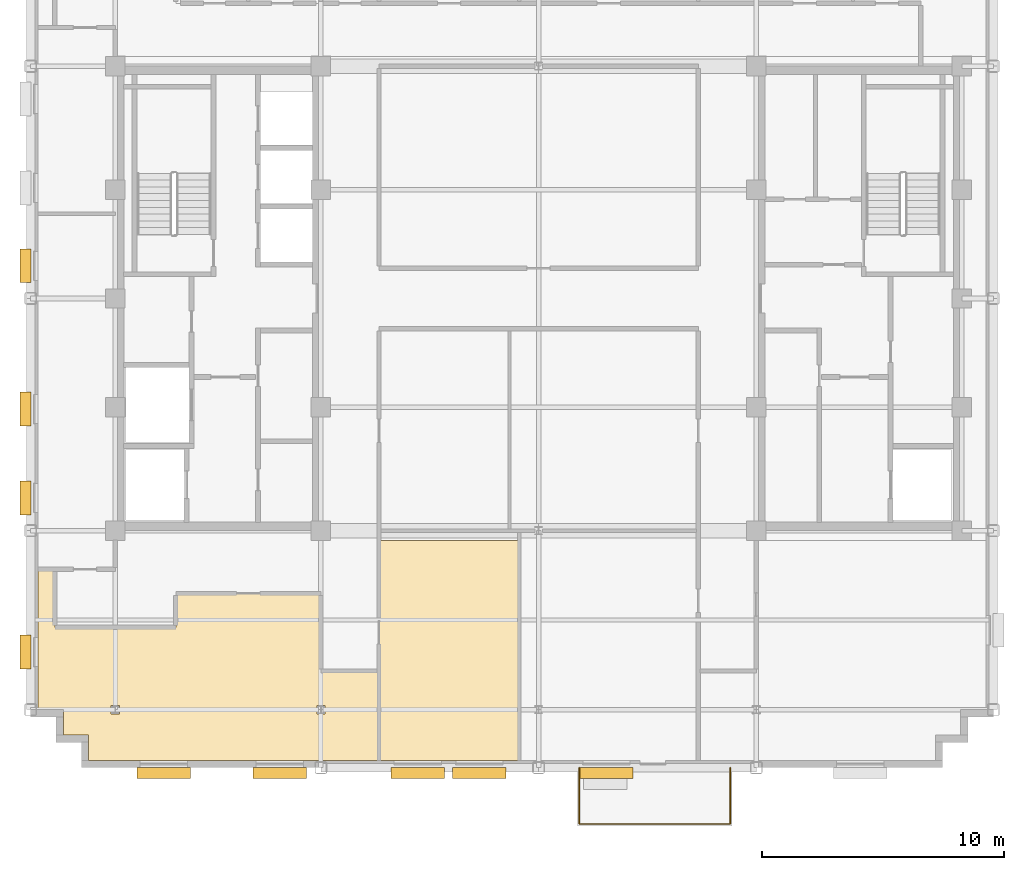
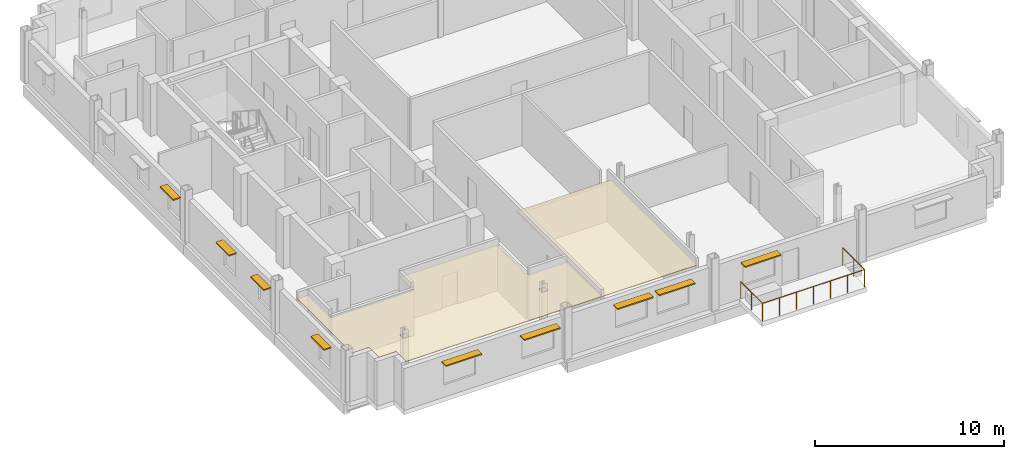
# One storey, part 10 of 13: 9 shading devices, 2 coverings, 1 railing.
"""IFC4 building model written with IfcOpenShell, lengths in metres."""

from ifc_helpers import new_model, si_unit, direction, frame, origin, origin_2d, place, context, subcontext, project, spatial, polyline, rectangle, circle, outline, extrude, source, transform, mapped, material, layer, layer_set, type_object, type_shapes, element, save


model = new_model("IFC4")

# Units and contexts
model_context = context("Model", 3, precision=1e-05, world=origin(), true_north=direction((0.0, 1.0)))
body_context = subcontext(model_context, "Body", "Model", "MODEL_VIEW")
ifc_project = project(units=[si_unit("LENGTHUNIT", "METRE"), si_unit("AREAUNIT", "SQUARE_METRE"), si_unit("VOLUMEUNIT", "CUBIC_METRE"), si_unit("PLANEANGLEUNIT", "RADIAN"), si_unit("MASSUNIT", "GRAM", prefix="KILO")], contexts=[model_context])

# Site, building, storey
site_placement = place(None, origin())
site = spatial("IfcSite", under=ifc_project, at=site_placement, CompositionType="ELEMENT")
building_placement = place(site_placement, origin())
building = spatial("IfcBuilding", under=site, at=building_placement, Name="Nuvemarco Arch Tower", CompositionType="ELEMENT")
storey_placement = place(building_placement, frame((0.0, 0.0, 257.949951171875)))
storey = spatial("IfcBuildingStorey", under=building, at=storey_placement, Name="L68", CompositionType="ELEMENT", Elevation=257.949951171875)

# Coverings
ifc_material_1 = material(Name="Mineral acoustic ceiling tile")
ifc_layer = layer(ifc_material_1, 0.0400390625, Name="COV-ACOUSTIC-CLG")
ifc_layer_set = layer_set([ifc_layer], Name="Mineral acoustic ceiling tile")
covering_type = type_object("IfcCoveringType", Name="COV-ACOUSTIC-CLG", PredefinedType="CEILING", material=ifc_layer_set)
covering_1_placement = place(storey_placement, frame((0.0, 0.0, 2.85009765625)))
element("IfcCovering", 1, at=covering_1_placement, inside=storey, type_object=covering_type, Name="L68 suspended acoustic ceiling 2", PredefinedType="CEILING", context=body_context, shape_type="SweptSolid", body=[
    extrude(outline(polyline([(-20.699951171875, -17.0), (-20.699951171875, -11.199951171875), (-20.0, -11.199951171875), (-20.0, -13.60009765625), (-15.0, -13.60009765625), (-15.0, -12.199951171875), (-9.0, -12.199951171875), (-9.0, -15.39990234375), (-6.60009765625, -15.39990234375), (-6.60009765625, -19.10009765625), (-18.60009765625, -19.10009765625), (-18.60009765625, -18.050048828125), (-19.64990234375, -18.050048828125), (-19.64990234375, -17.0), (-20.699951171875, -17.0)]), holes=[polyline([(-17.330078125, -16.830078125), (-17.669921875, -16.830078125), (-17.669921875, -17.169921875), (-17.330078125, -17.169921875), (-17.330078125, -16.830078125)]), polyline([(-8.830078125, -16.830078125), (-9.169921875, -16.830078125), (-9.169921875, -17.169921875), (-8.830078125, -17.169921875), (-8.830078125, -16.830078125)])]), origin(), (0.0, 0.0, 1.0), 0.0400390625),
])
covering_2_placement = place(storey_placement, frame((0.0, 0.0, 2.85009765625)))
element("IfcCovering", 2, at=covering_2_placement, inside=storey, type_object=covering_type, Name="L68 suspended acoustic ceiling 4", PredefinedType="CEILING", context=body_context, shape_type="SweptSolid", body=[
    extrude(outline(polyline([(-6.60009765625, -10.0), (-0.800048828125, -10.0), (-0.800048828125, -19.10009765625), (-6.60009765625, -19.10009765625), (-6.60009765625, -15.39990234375), (-6.60009765625, -12.199951171875), (-6.60009765625, -10.0)])), origin(), (0.0, 0.0, 1.0), 0.0400390625),
])

# Railing
ifc_material_2 = material(Name="Dark anodised balustrade steel S355", Category="steel")
railing_type = type_object("IfcRailingType", Name="RL-TERR-GUARD", PredefinedType="BALUSTRADE", material=ifc_material_2)
railing_placement = place(storey_placement, frame((1.679931640625, -19.39990234375, 0.0)))
element("IfcRailing", 3, at=railing_placement, inside=storey, type_object=railing_type, Name="L68 spiral terrace perimeter balustrade guard", PredefinedType="BALUSTRADE", context=body_context, shape_type="SweptSolid", body=[
    extrude(circle(Radius=0.02392578125, at=origin_2d()), frame((0.0, 0.0, 1.1259765625), z_axis=(0.0, -1.0, 0.0), x_axis=(1.0, 0.0, 0.0)), (0.0, 0.0, 1.0), 2.320068359375),
    extrude(circle(Radius=0.02392578125, at=origin_2d()), frame((0.0, -2.320068359375, 1.1259765625), z_axis=(1.0, 0.0, 0.0), x_axis=(0.0, 1.0, 0.0)), (0.0, 0.0, 1.0), 6.239990234375),
    extrude(circle(Radius=0.02392578125, at=origin_2d()), frame((6.239990234375, -2.320068359375, 1.1259765625), z_axis=(0.0, 1.0, 0.0), x_axis=(-1.0, 0.0, 0.0)), (0.0, 0.0, 1.0), 2.320068359375),
    extrude(circle(Radius=0.02099609375, at=origin_2d()), origin(), (0.0, 0.0, 1.0), 1.101806640625),
    extrude(circle(Radius=0.02099609375, at=origin_2d()), frame((0.0, -1.16015625, 0.0)), (0.0, 0.0, 1.0), 1.101806640625),
    extrude(circle(Radius=0.02099609375, at=origin_2d()), frame((0.0, -2.320068359375, 0.0)), (0.0, 0.0, 1.0), 1.101806640625),
    extrude(circle(Radius=0.02099609375, at=origin_2d()), frame((1.0400390625, -2.320068359375, 0.0)), (0.0, 0.0, 1.0), 1.101806640625),
    extrude(circle(Radius=0.02099609375, at=origin_2d()), frame((2.080078125, -2.320068359375, 0.0)), (0.0, 0.0, 1.0), 1.101806640625),
    extrude(circle(Radius=0.02099609375, at=origin_2d()), frame((3.1201171875, -2.320068359375, 0.0)), (0.0, 0.0, 1.0), 1.101806640625),
    extrude(circle(Radius=0.02099609375, at=origin_2d()), frame((4.159912109375, -2.320068359375, 0.0)), (0.0, 0.0, 1.0), 1.101806640625),
    extrude(circle(Radius=0.02099609375, at=origin_2d()), frame((5.199951171875, -2.320068359375, 0.0)), (0.0, 0.0, 1.0), 1.101806640625),
    extrude(circle(Radius=0.02099609375, at=origin_2d()), frame((6.239990234375, -2.320068359375, 0.0)), (0.0, 0.0, 1.0), 1.101806640625),
    extrude(circle(Radius=0.02099609375, at=origin_2d()), frame((6.239990234375, -1.16015625, 0.0)), (0.0, 0.0, 1.0), 1.101806640625),
    extrude(circle(Radius=0.02099609375, at=origin_2d()), frame((6.239990234375, 0.0, 0.0)), (0.0, 0.0, 1.0), 1.101806640625),
])

# Shading devices
ifc_material_3 = material(Name="Anodised aluminium 6063-T6", Category="aluminium")
shading_device_type_1 = type_object("IfcShadingDeviceType", Name="SHD-BRISE-SOLEIL", PredefinedType="USERDEFINED", material=ifc_material_3)
shared_shape_1 = source(origin(), body_context, "Body", "SweptSolid", [
    extrude(rectangle(XDim=2.199951171875, YDim=0.449951171875, at=origin_2d()), origin(), (0.0, 0.0, 1.0), 0.080078125),
])
type_shapes(shading_device_type_1, [shared_shape_1])
for number, where, z_axis, x_axis, name in (
    (4, (-15.5, -19.614990234375, 2.284912109375), (0.0, 0.0, 1.0), (1.0, 0.0, 0.0), "L68 horizontal brise-soleil sunshade"),
    (5, (-10.699951171875, -19.614990234375, 2.284912109375), (0.0, 0.0, 1.0), (1.0, 0.0, 0.0), "L68 horizontal brise-soleil sunshade"),
    (6, (-5.0, -19.614990234375, 2.284912109375), (0.0, 0.0, 1.0), (1.0, 0.0, 0.0), "L68 horizontal brise-soleil sunshade"),
    (7, (-2.449951171875, -19.614990234375, 2.284912109375), (0.0, 0.0, 1.0), (1.0, 0.0, 0.0), "L68 horizontal brise-soleil sunshade"),
    (8, (2.800048828125, -19.614990234375, 2.284912109375), (0.0, 0.0, 1.0), (1.0, 0.0, 0.0), "L68 horizontal brise-soleil sunshade"),
):
    element("IfcShadingDevice", number, at=place(storey_placement, frame(where, z_axis=z_axis, x_axis=x_axis)), inside=storey, type_object=shading_device_type_1, Name=name, ObjectType="SUNSHADE", PredefinedType="USERDEFINED", context=body_context, shape_type="MappedRepresentation", body=[
        mapped(shared_shape_1, transform((0.0, 0.0, 0.0), scale=1.0)),
    ])
shading_device_type_2 = type_object("IfcShadingDeviceType", Name="SHD-BRISE-NARROW", PredefinedType="USERDEFINED", material=ifc_material_3)
shared_shape_2 = source(origin(), body_context, "Body", "SweptSolid", [
    extrude(rectangle(XDim=1.39990234375, YDim=0.449951171875, at=origin_2d()), origin(), (0.0, 0.0, 1.0), 0.080078125),
])
type_shapes(shading_device_type_2, [shared_shape_2])
for number, where, z_axis, x_axis, name in (
    (9, (-21.215087890625, -14.61767578125, 2.284912109375), (0.0, 0.0, 1.0), (0.0, 1.0, 0.0), "L68 horizontal brise-soleil sunshade"),
    (10, (-21.215087890625, -8.2451171875, 2.284912109375), (0.0, 0.0, 1.0), (0.0, 1.0, 0.0), "L68 horizontal brise-soleil sunshade"),
    (11, (-21.215087890625, -4.572509765625, 2.284912109375), (0.0, 0.0, 1.0), (0.0, 1.0, 0.0), "L68 horizontal brise-soleil sunshade"),
    (12, (-21.215087890625, 1.35009765625, 2.284912109375), (0.0, 0.0, 1.0), (0.0, 1.0, 0.0), "L68 horizontal brise-soleil sunshade"),
):
    element("IfcShadingDevice", number, at=place(storey_placement, frame(where, z_axis=z_axis, x_axis=x_axis)), inside=storey, type_object=shading_device_type_2, Name=name, ObjectType="SUNSHADE", PredefinedType="USERDEFINED", context=body_context, shape_type="MappedRepresentation", body=[
        mapped(shared_shape_2, transform((0.0, 0.0, 0.0), scale=1.0)),
    ])

save(model, "model.ifc")
